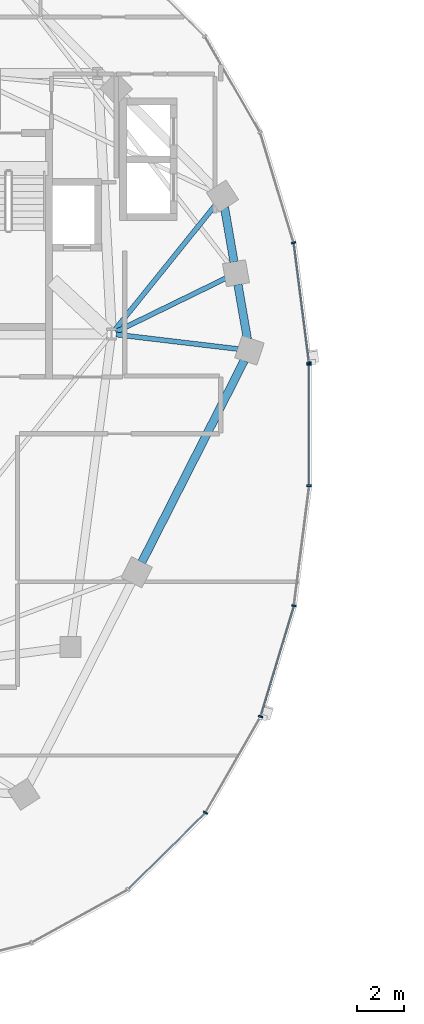
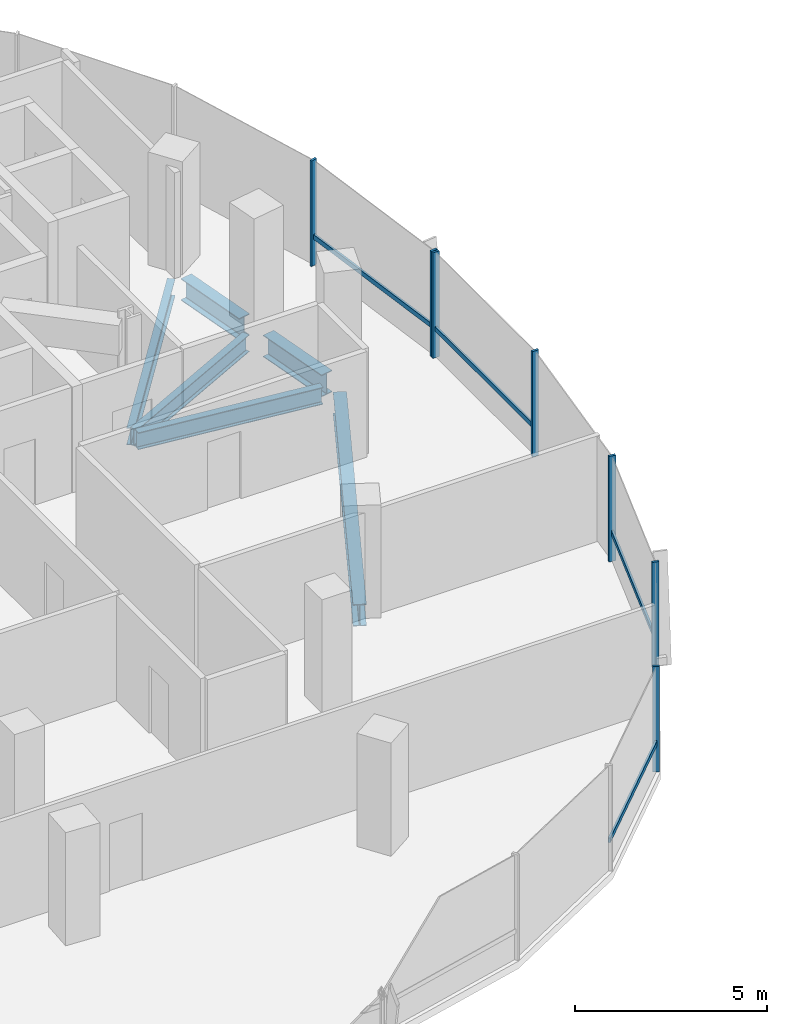
# One storey, part 4 of 23: 11 members, 6 beams, 2 elements without a shape of their own.
"""IFC4 building model written with IfcOpenShell, lengths in metres."""

from ifc_helpers import new_model, si_unit, direction, frame, origin, origin_2d, place, context, subcontext, project, spatial, rectangle, i_section, extrude, material, material_profile, profile_set, type_object, element, aggregate, save


model = new_model("IFC4")

# Units and contexts
model_context = context("Model", 3, precision=1e-05, world=origin(), true_north=direction((0.0, 1.0)))
body_context = subcontext(model_context, "Body", "Model", "MODEL_VIEW")
ifc_project = project(units=[si_unit("LENGTHUNIT", "METRE"), si_unit("AREAUNIT", "SQUARE_METRE"), si_unit("VOLUMEUNIT", "CUBIC_METRE"), si_unit("PLANEANGLEUNIT", "RADIAN"), si_unit("MASSUNIT", "GRAM", prefix="KILO"), si_unit("THERMODYNAMICTEMPERATUREUNIT", "KELVIN"), si_unit("POWERUNIT", "WATT")], contexts=[model_context])

# Site, building, storey
site_placement = place(None, origin())
site = spatial("IfcSite", under=ifc_project, at=site_placement, CompositionType="ELEMENT")
building_placement = place(site_placement, origin())
building = spatial("IfcBuilding", under=site, at=building_placement, Name="Cundina Bronze Exchange", CompositionType="ELEMENT")
storey_placement = place(building_placement, frame((0.0, 0.0, 176.39990234375)))
storey = spatial("IfcBuildingStorey", under=building, at=storey_placement, Name="L46", CompositionType="ELEMENT", Elevation=176.39990234375)

# Beams
ifc_material_1 = material(Name="Steel ASTM A992 Grade 50", Category="steel")
ifc_material_profile_1 = material_profile(ifc_material_1, i_section(OverallWidth=0.2119140625, OverallDepth=0.5439453125, WebThickness=0.01318359375, FlangeThickness=0.021240234375, FilletRadius=0.013916015625, at=origin_2d()), Name="W21X83", Category="steel")
ifc_profile_set_1 = profile_set([ifc_material_profile_1], Name="Steel ASTM A992 Grade 50")
beam_type_1 = type_object("IfcBeamType", Name="BM-FLR-W21A", PredefinedType="BEAM", material=ifc_profile_set_1)
beam_1_placement = place(storey_placement, frame((-21.247314453125, 3.8759765625, -0.511962890625), z_axis=(0.993036158382, -0.11780996624, 0.0), x_axis=(0.11780996624, 0.993036158382, 0.0)))
element("IfcBeam", 1, at=beam_1_placement, inside=storey, type_object=beam_type_1, Name="L46 Leg W Radial Floor Beam 00", PredefinedType="BEAM", context=body_context, shape_type="SweptSolid", body=[
    extrude(i_section(OverallWidth=0.2119140625, OverallDepth=0.5439453125, WebThickness=0.01318359375, FlangeThickness=0.021240234375, FilletRadius=0.013916015625, at=origin_2d()), origin(), (0.0, 0.0, 1.0), 5.249267578125),
])
beam_2_placement = place(storey_placement, frame((-21.2666015625, 3.989501953125, -0.511962890625), z_axis=(0.898604300669, 0.438759969481, 0.0), x_axis=(-0.438759969481, 0.898604300669, 0.0)))
element("IfcBeam", 2, at=beam_2_placement, inside=storey, type_object=beam_type_1, Name="L46 Leg W Radial Floor Beam 01", PredefinedType="BEAM", context=body_context, shape_type="SweptSolid", body=[
    extrude(i_section(OverallWidth=0.2119140625, OverallDepth=0.5439453125, WebThickness=0.01318359375, FlangeThickness=0.021240234375, FilletRadius=0.013916015625, at=origin_2d()), origin(), (0.0, 0.0, 1.0), 5.23388671875),
])
beam_3_placement = place(storey_placement, frame((-21.322021484375, 4.058837890625, -0.511962890625), z_axis=(0.627088684379, 0.778947868553, 0.0), x_axis=(-0.778947868553, 0.627088684379, 0.0)))
element("IfcBeam", 3, at=beam_3_placement, inside=storey, type_object=beam_type_1, Name="L46 Leg W Radial Floor Beam 02", PredefinedType="BEAM", context=body_context, shape_type="SweptSolid", body=[
    extrude(i_section(OverallWidth=0.2119140625, OverallDepth=0.5439453125, WebThickness=0.01318359375, FlangeThickness=0.021240234375, FilletRadius=0.013916015625, at=origin_2d()), origin(), (0.0, 0.0, 1.0), 6.882568359375),
])
ifc_material_profile_2 = material_profile(ifc_material_1, i_section(OverallWidth=0.35498046875, OverallDepth=0.695068359375, WebThickness=0.015380859375, FlangeThickness=0.02490234375, FilletRadius=0.01806640625, at=origin_2d()), Name="W27X146", Category="steel")
ifc_profile_set_2 = profile_set([ifc_material_profile_2], Name="Steel ASTM A992 Grade 50")
beam_type_2 = type_object("IfcBeamType", Name="BM-RING-W27", PredefinedType="USERDEFINED", material=ifc_profile_set_2)
for number, where, z_axis, x_axis, name in (
    (4, (-15.6337890625, 3.680908203125, -0.58740234375), (-0.171666718895, 0.985155083032, 0.0), (-0.985155083032, -0.171666718895, 0.0), "L46 W Perimeter Ring Girder 00"),
    (5, (-16.208740234375, 6.980712890625, -0.58740234375), (-0.171666718895, 0.985155083032, 0.0), (-0.985155083032, -0.171666718895, 0.0), "L46 W Perimeter Ring Girder 01"),
):
    element("IfcBeam", number, at=place(storey_placement, frame(where, z_axis=z_axis, x_axis=x_axis)), inside=storey, type_object=beam_type_2, Name=name, ObjectType="GIRDER", PredefinedType="USERDEFINED", context=body_context, shape_type="SweptSolid", body=[
        extrude(i_section(OverallWidth=0.35498046875, OverallDepth=0.695068359375, WebThickness=0.015380859375, FlangeThickness=0.02490234375, FilletRadius=0.01806640625, at=origin_2d()), origin(), (0.0, 0.0, 1.0), 2.37353515625),
    ])
beam_4_placement = place(storey_placement, frame((-20.154052734375, -5.864990234375, -0.58740234375), z_axis=(0.452834585354, 0.891594548159, 0.0), x_axis=(-0.891594548159, 0.452834585354, 0.0)))
element("IfcBeam", 6, at=beam_4_placement, inside=storey, type_object=beam_type_2, Name="L46 W Perimeter Ring Girder 13", ObjectType="GIRDER", PredefinedType="USERDEFINED", context=body_context, shape_type="SweptSolid", body=[
    extrude(i_section(OverallWidth=0.35498046875, OverallDepth=0.695068359375, WebThickness=0.015380859375, FlangeThickness=0.02490234375, FilletRadius=0.01806640625, at=origin_2d()), origin(), (0.0, 0.0, 1.0), 9.67919921875),
])

# Curtain wall, members
ifc_material_2 = material(Name="Anodised Bronze Aluminium 6063-T6", Category="aluminium")
curtain_wall_type = type_object("IfcCurtainWallType", Name="CWS-WST-PIN", PredefinedType="NOTDEFINED", material=ifc_material_2)
curtain_wall_1_placement = place(storey_placement, origin())
curtain_wall_1 = element("IfcCurtainWall", 7, at=curtain_wall_1_placement, inside=storey, type_object=curtain_wall_type, Name="L46 CW-04 Curtain Wall Run CWR-L46-W1", PredefinedType="NOTDEFINED")
ifc_material_profile_3 = material_profile(ifc_material_2, rectangle(XDim=0.070068359375, YDim=0.18994140625, at=origin_2d()), Name="AL70X190", Category="aluminium")
ifc_profile_set_3 = profile_set([ifc_material_profile_3], Name="Anodised Bronze Aluminium 6063-T6")
member_type_1 = type_object("IfcMemberType", Name="CWM-MUL-190", PredefinedType="MULLION", material=ifc_profile_set_3)
member_1_placement = place(storey_placement, frame((-12.998291015625, 2.676025390625, 0.0), z_axis=(0.0, 0.0, 1.0), x_axis=(-0.126545236492, 0.991960837494, 0.0)))
member_1 = element("IfcMember", 8, at=member_1_placement, type_object=member_type_1, Name="CW-04 Mullion 1", PredefinedType="MULLION", context=body_context, shape_type="SweptSolid", body=[
    extrude(rectangle(XDim=0.070068359375, YDim=0.18994140625, at=origin_2d()), origin(), (0.0, 0.0, 1.0), 3.360107421875),
])
member_2_placement = place(storey_placement, frame((-13.6591796875, 7.80859375, 0.0), z_axis=(0.0, 0.0, 1.0), x_axis=(-0.290034140915, 0.957016299288, 0.0)))
member_2 = element("IfcMember", 9, at=member_2_placement, type_object=member_type_1, Name="CW-04 Mullion 2", PredefinedType="MULLION", context=body_context, shape_type="SweptSolid", body=[
    extrude(rectangle(XDim=0.070068359375, YDim=0.18994140625, at=origin_2d()), origin(), (0.0, 0.0, 1.0), 3.360107421875),
])

curtain_wall_2_placement = place(storey_placement, origin())
curtain_wall_2 = element("IfcCurtainWall", 10, at=curtain_wall_2_placement, inside=storey, type_object=curtain_wall_type, Name="L46 CW-04 Curtain Wall Run CWR-L46-W4", PredefinedType="NOTDEFINED")
member_3_placement = place(storey_placement, frame((-17.42919921875, -16.588134765625, 0.0), z_axis=(0.0, 0.0, 1.0), x_axis=(0.498487739754, 0.866896748936, 0.0)))
member_3 = element("IfcMember", 11, at=member_3_placement, type_object=member_type_1, Name="CW-04 Mullion 4", PredefinedType="MULLION", context=body_context, shape_type="SweptSolid", body=[
    extrude(rectangle(XDim=0.070068359375, YDim=0.18994140625, at=origin_2d()), origin(), (0.0, 0.0, 1.0), 3.360107421875),
])
member_4_placement = place(storey_placement, frame((-15.07373046875, -12.4755859375, 0.0), z_axis=(0.0, 0.0, 1.0), x_axis=(0.290034140915, 0.957016299288, 0.0)))
member_4 = element("IfcMember", 12, at=member_4_placement, type_object=member_type_1, Name="CW-04 Mullion 5", PredefinedType="MULLION", context=body_context, shape_type="SweptSolid", body=[
    extrude(rectangle(XDim=0.070068359375, YDim=0.18994140625, at=origin_2d()), origin(), (0.0, 0.0, 1.0), 3.360107421875),
])
member_5_placement = place(storey_placement, frame((-13.642822265625, -7.731689453125, 0.0), z_axis=(0.0, 0.0, 1.0), x_axis=(0.126545236492, 0.991960837494, 0.0)))
member_5 = element("IfcMember", 13, at=member_5_placement, type_object=member_type_1, Name="CW-04 Mullion 6", PredefinedType="MULLION", context=body_context, shape_type="SweptSolid", body=[
    extrude(rectangle(XDim=0.070068359375, YDim=0.18994140625, at=origin_2d()), origin(), (0.0, 0.0, 1.0), 3.360107421875),
])
member_6_placement = place(storey_placement, frame((-12.992919921875, -2.593017578125, 0.0), z_axis=(0.0, 0.0, 1.0), x_axis=(0.0, 1.0, 0.0)))
member_6 = element("IfcMember", 14, at=member_6_placement, type_object=member_type_1, Name="CW-04 Mullion 7", PredefinedType="MULLION", context=body_context, shape_type="SweptSolid", body=[
    extrude(rectangle(XDim=0.070068359375, YDim=0.18994140625, at=origin_2d()), origin(), (0.0, 0.0, 1.0), 3.360107421875),
])
member_7_placement = place(storey_placement, frame((-12.992919921875, 2.593017578125, 0.0), z_axis=(0.0, 0.0, 1.0), x_axis=(0.0, 1.0, 0.0)))
member_7 = element("IfcMember", 15, at=member_7_placement, type_object=member_type_1, Name="CW-04 End Mullion", PredefinedType="MULLION", context=body_context, shape_type="SweptSolid", body=[
    extrude(rectangle(XDim=0.070068359375, YDim=0.18994140625, at=origin_2d()), origin(), (0.0, 0.0, 1.0), 3.360107421875),
])

# Member
ifc_material_profile_4 = material_profile(ifc_material_2, rectangle(XDim=0.06494140625, YDim=0.14990234375, at=origin_2d()), Name="AL65X150", Category="aluminium")
ifc_profile_set_4 = profile_set([ifc_material_profile_4], Name="Anodised Bronze Aluminium 6063-T6")
member_type_2 = type_object("IfcMemberType", Name="CWM-TRN-150", PredefinedType="USERDEFINED", material=ifc_profile_set_4)
member_8_placement = place(storey_placement, frame((-13.003173828125, 2.71435546875, 0.920166015625), z_axis=(-0.12646340362, 0.991971273548, 0.0), x_axis=(-0.991971273548, -0.12646340362, 0.0)))
member_8 = element("IfcMember", 16, at=member_8_placement, type_object=member_type_2, Name="CW-04 Spandrel Transom 1", ObjectType="TRANSOM", PredefinedType="USERDEFINED", context=body_context, shape_type="SweptSolid", body=[
    extrude(rectangle(XDim=0.06494140625, YDim=0.14990234375, at=origin_2d()), origin(), (0.0, 0.0, 1.0), 5.0966796875),
])

aggregate(curtain_wall_1, [member_1, member_8, member_2])

member_9_placement = place(storey_placement, frame((-20.71337890625, -19.839599609375, 0.920166015625), z_axis=(0.712005023839, 0.702174370102, 0.0), x_axis=(-0.702174370102, 0.712005023839, 0.0)))
member_9 = element("IfcMember", 17, at=member_9_placement, type_object=member_type_2, Name="CW-04 Spandrel Transom 3", ObjectType="TRANSOM", PredefinedType="USERDEFINED", context=body_context, shape_type="SweptSolid", body=[
    extrude(rectangle(XDim=0.06494140625, YDim=0.14990234375, at=origin_2d()), origin(), (0.0, 0.0, 1.0), 4.594482421875),
])

member_10_placement = place(storey_placement, frame((-15.062744140625, -12.43896484375, 0.920166015625), z_axis=(0.290051855969, 0.957010930371, 0.0), x_axis=(-0.957010930371, 0.290051855969, 0.0)))
member_10 = element("IfcMember", 18, at=member_10_placement, type_object=member_type_2, Name="CW-04 Spandrel Transom 5", ObjectType="TRANSOM", PredefinedType="USERDEFINED", context=body_context, shape_type="SweptSolid", body=[
    extrude(rectangle(XDim=0.06494140625, YDim=0.14990234375, at=origin_2d()), origin(), (0.0, 0.0, 1.0), 4.876953125),
])

member_11_placement = place(storey_placement, frame((-12.992919921875, -2.554443359375, 0.920166015625), z_axis=(0.0, 1.0, 0.0), x_axis=(-1.0, 0.0, 0.0)))
member_11 = element("IfcMember", 19, at=member_11_placement, type_object=member_type_2, Name="CW-04 Spandrel Transom 7", ObjectType="TRANSOM", PredefinedType="USERDEFINED", context=body_context, shape_type="SweptSolid", body=[
    extrude(rectangle(XDim=0.06494140625, YDim=0.14990234375, at=origin_2d()), origin(), (0.0, 0.0, 1.0), 5.10888671875),
])

aggregate(curtain_wall_2, [member_9, member_3, member_4, member_10, member_5, member_6, member_7, member_11])

save(model, "model.ifc")
